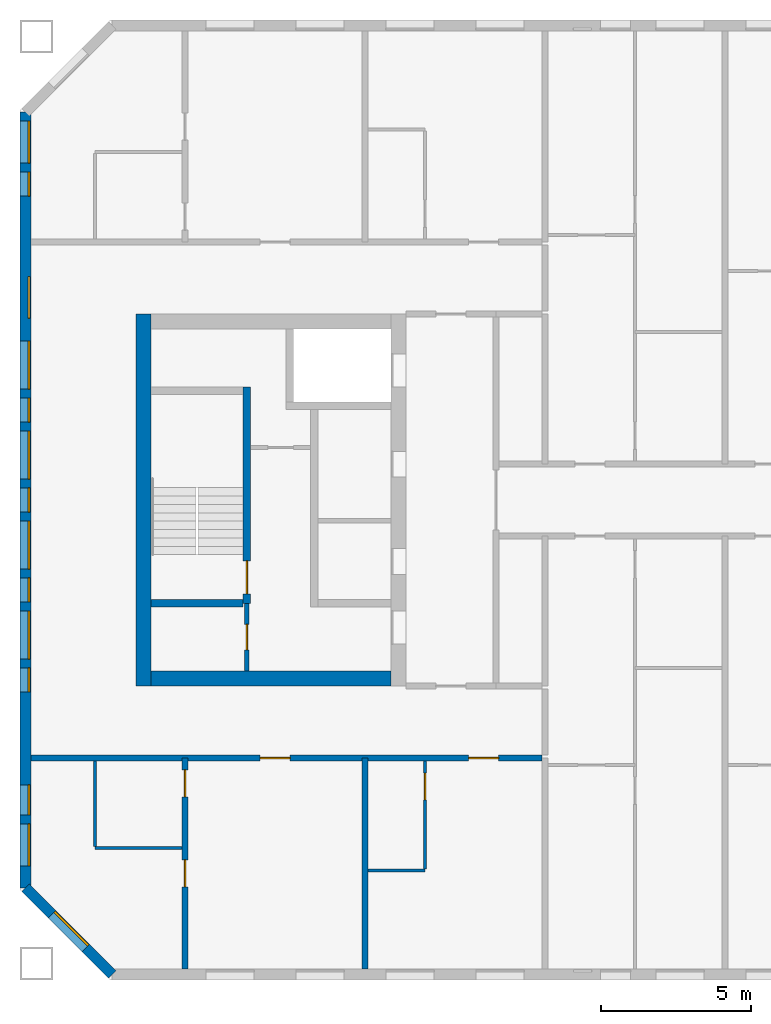
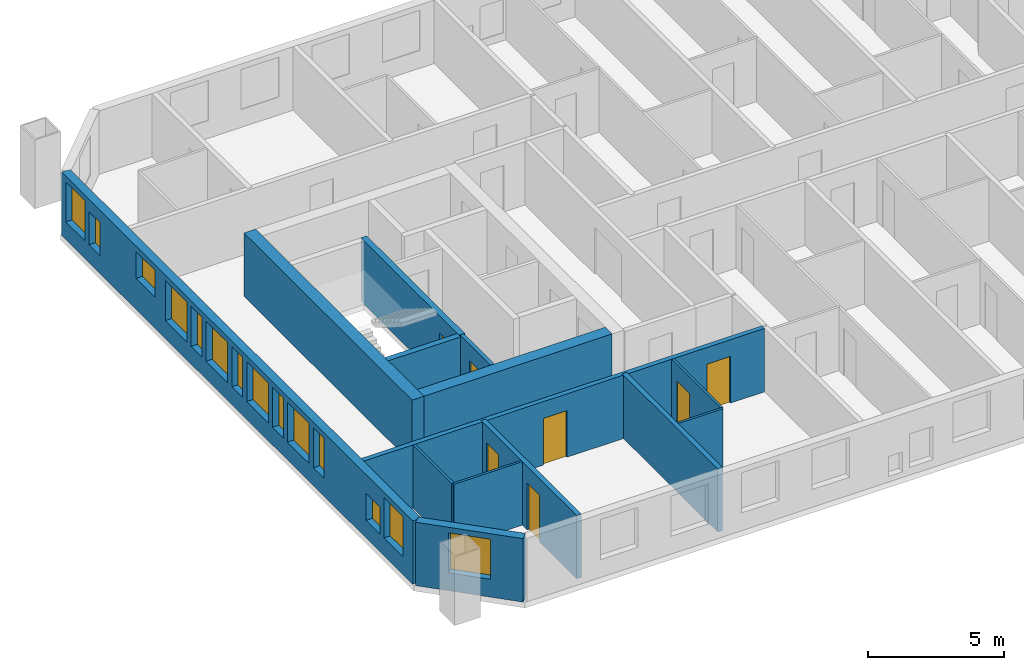
# One storey, part 2 of 15: 14 walls, 14 windows, 7 doors, 21 openings.
"""IFC4 building model written with IfcOpenShell, lengths in metres."""

from ifc_helpers import new_model, si_unit, direction, frame, frame_2d, origin, place, context, subcontext, project, spatial, rectangle, extrude, material, layer, layer_set, type_object, element, fill, save


model = new_model("IFC4")

# Units and contexts
model_context = context("Model", 3, precision=1e-05, world=origin(), true_north=direction((0.0, 1.0)))
body_context = subcontext(model_context, "Body", "Model", "MODEL_VIEW")
ifc_project = project(units=[si_unit("LENGTHUNIT", "METRE"), si_unit("AREAUNIT", "SQUARE_METRE"), si_unit("VOLUMEUNIT", "CUBIC_METRE"), si_unit("PLANEANGLEUNIT", "RADIAN"), si_unit("MASSUNIT", "GRAM", prefix="KILO")], contexts=[model_context])

# Site, building, storey
site_placement = place(None, origin())
site = spatial("IfcSite", under=ifc_project, at=site_placement, CompositionType="ELEMENT")
building_placement = place(site_placement, origin())
building = spatial("IfcBuilding", under=site, at=building_placement, Name="Tuart Gate Housing", CompositionType="ELEMENT")
storey_placement = place(building_placement, frame((0.0, 0.0, 160.89990234375)))
storey = spatial("IfcBuildingStorey", under=building, at=storey_placement, Name="L45", CompositionType="ELEMENT", Elevation=160.89990234375)

# Wall, opening, window
ifc_material_1 = material(Name="Brick", Category="masonry")
ifc_layer_1 = layer(ifc_material_1, 0.360107421875)
ifc_layer_set_1 = layer_set([ifc_layer_1], Name="Brick pier and spandrel wall 360")
wall_type_1 = type_object("IfcWallType", Name="Brick pier and spandrel wall 360", PredefinedType="STANDARD", material=ifc_layer_set_1)
wall_1_placement = place(storey_placement, frame((28.679931640625, 57.07470703125, 0.0), z_axis=(0.0, 0.0, 1.0), x_axis=(0.707106781187, -0.707106781187, 0.0)))
wall_1 = element("IfcWall", 1, at=wall_1_placement, inside=storey, type_object=wall_type_1, Name="External wall A-SW L45", PredefinedType="STANDARD", context=body_context, shape_type="SweptSolid", body=[
    extrude(rectangle(XDim=4.09375, YDim=0.360107421875, at=frame_2d((2.046875, 0.0))), origin(), (0.0, 0.0, 1.0), 2.85009765625),
])
opening_1_placement = place(wall_1_placement, frame((1.2470703125, 0.0, 0.800048828125)))
opening_1 = element("IfcOpeningElement", 2, at=opening_1_placement, cuts=wall_1, Name="Opening W1", PredefinedType="OPENING", context=body_context, shape_type="SweptSolid", body=[
    extrude(rectangle(XDim=1.60009765625, YDim=1.800048828125, at=frame_2d((0.800048828125, 0.89990234375))), frame((0.0, 0.18994140625, 0.0), z_axis=(0.0, -1.0, 0.0), x_axis=(1.0, 0.0, 0.0)), (0.0, 0.0, 1.0), 0.380126953125),
])
ifc_material_2 = material(Name="Aluminium frame with clear glass", Category="aluminium")
window_type_1 = type_object("IfcWindowType", Name="Punched window 1600 x 1800", PartitioningType="SINGLE_PANEL", PredefinedType="WINDOW", material=ifc_material_2)
window_1_placement = place(opening_1_placement, origin())
window_1 = element("IfcWindow", 3, at=window_1_placement, inside=storey, type_object=window_type_1, Name="Window W1", OverallHeight=1.800048828125, OverallWidth=1.60009765625, PartitioningType="SINGLE_PANEL", PredefinedType="WINDOW", context=body_context, shape_type="SweptSolid", body=[
    extrude(rectangle(XDim=1.60009765625, YDim=1.800048828125, at=frame_2d((0.800048828125, 0.89990234375))), frame((0.0, 0.150146484375, 0.0), z_axis=(0.0, -1.0, 0.0), x_axis=(1.0, 0.0, 0.0)), (0.0, 0.0, 1.0), 0.06005859375),
])
fill(opening_1, window_1)

# Wall, openings, windows
wall_2_placement = place(storey_placement, frame((28.679931640625, 82.92529296875, 0.0), z_axis=(0.0, 0.0, 1.0), x_axis=(0.0, -1.0, 0.0)))
wall_2 = element("IfcWall", 4, at=wall_2_placement, inside=storey, type_object=wall_type_1, Name="External wall A-W L45", PredefinedType="STANDARD", context=body_context, shape_type="SweptSolid", body=[
    extrude(rectangle(XDim=25.850830078125, YDim=0.360107421875, at=frame_2d((12.92529296875, 0.0))), origin(), (0.0, 0.0, 1.0), 2.85009765625),
])
opening_2_placement = place(wall_2_placement, frame((0.300048828125, 0.0, 0.800048828125)))
opening_2 = element("IfcOpeningElement", 5, at=opening_2_placement, cuts=wall_2, Name="Opening W1A", PredefinedType="OPENING", context=body_context, shape_type="SweptSolid", body=[
    extrude(rectangle(XDim=1.39990234375, YDim=1.800048828125, at=frame_2d((0.699951171875, 0.89990234375))), frame((0.0, 0.18994140625, 0.0), z_axis=(0.0, -1.0, 0.0), x_axis=(1.0, 0.0, 0.0)), (0.0, 0.0, 1.0), 0.380126953125),
])
opening_3_placement = place(wall_2_placement, frame((5.475341796875, 0.0, 1.39990234375)))
opening_3 = element("IfcOpeningElement", 6, at=opening_3_placement, cuts=wall_2, Name="Opening W1M", PredefinedType="OPENING", context=body_context, shape_type="SweptSolid", body=[
    extrude(rectangle(XDim=1.39990234375, YDim=1.199951171875, at=frame_2d((0.699951171875, 0.60009765625))), frame((0.0, 0.18994140625, 0.0), z_axis=(0.0, -1.0, 0.0), x_axis=(1.0, 0.0, 0.0)), (0.0, 0.0, 1.0), 0.380126953125),
])
opening_4_placement = place(wall_2_placement, frame((7.62548828125, 0.0, 0.800048828125)))
opening_4 = element("IfcOpeningElement", 7, at=opening_4_placement, cuts=wall_2, Name="Opening W1", PredefinedType="OPENING", context=body_context, shape_type="SweptSolid", body=[
    extrude(rectangle(XDim=1.60009765625, YDim=1.800048828125, at=frame_2d((0.800048828125, 0.89990234375))), frame((0.0, 0.18994140625, 0.0), z_axis=(0.0, -1.0, 0.0), x_axis=(1.0, 0.0, 0.0)), (0.0, 0.0, 1.0), 0.380126953125),
])
opening_5_placement = place(wall_2_placement, frame((10.62548828125, 0.0, 0.800048828125)))
opening_5 = element("IfcOpeningElement", 8, at=opening_5_placement, cuts=wall_2, Name="Opening W1", PredefinedType="OPENING", context=body_context, shape_type="SweptSolid", body=[
    extrude(rectangle(XDim=1.60009765625, YDim=1.800048828125, at=frame_2d((0.800048828125, 0.89990234375))), frame((0.0, 0.18994140625, 0.0), z_axis=(0.0, -1.0, 0.0), x_axis=(1.0, 0.0, 0.0)), (0.0, 0.0, 1.0), 0.380126953125),
])
opening_6_placement = place(wall_2_placement, frame((13.62548828125, 0.0, 0.800048828125)))
opening_6 = element("IfcOpeningElement", 9, at=opening_6_placement, cuts=wall_2, Name="Opening W1", PredefinedType="OPENING", context=body_context, shape_type="SweptSolid", body=[
    extrude(rectangle(XDim=1.60009765625, YDim=1.800048828125, at=frame_2d((0.800048828125, 0.89990234375))), frame((0.0, 0.18994140625, 0.0), z_axis=(0.0, -1.0, 0.0), x_axis=(1.0, 0.0, 0.0)), (0.0, 0.0, 1.0), 0.380126953125),
])
opening_7_placement = place(wall_2_placement, frame((16.62548828125, 0.0, 0.800048828125)))
opening_7 = element("IfcOpeningElement", 10, at=opening_7_placement, cuts=wall_2, Name="Opening W1", PredefinedType="OPENING", context=body_context, shape_type="SweptSolid", body=[
    extrude(rectangle(XDim=1.60009765625, YDim=1.800048828125, at=frame_2d((0.800048828125, 0.89990234375))), frame((0.0, 0.18994140625, 0.0), z_axis=(0.0, -1.0, 0.0), x_axis=(1.0, 0.0, 0.0)), (0.0, 0.0, 1.0), 0.380126953125),
])
opening_8_placement = place(wall_2_placement, frame((9.525390625, 0.0, 0.800048828125)))
opening_8 = element("IfcOpeningElement", 11, at=opening_8_placement, cuts=wall_2, Name="Opening W1D", PredefinedType="OPENING", context=body_context, shape_type="SweptSolid", body=[
    extrude(rectangle(XDim=0.800048828125, YDim=1.800048828125, at=frame_2d((0.39990234375, 0.89990234375))), frame((0.0, 0.18994140625, 0.0), z_axis=(0.0, -1.0, 0.0), x_axis=(1.0, 0.0, 0.0)), (0.0, 0.0, 1.0), 0.380126953125),
])
opening_9_placement = place(wall_2_placement, frame((22.42529296875, 0.0, 0.800048828125)))
opening_9 = element("IfcOpeningElement", 12, at=opening_9_placement, cuts=wall_2, Name="Opening W1O", PredefinedType="OPENING", context=body_context, shape_type="SweptSolid", body=[
    extrude(rectangle(XDim=1.0, YDim=1.199951171875, at=frame_2d((0.5, 0.60009765625))), frame((0.0, 0.18994140625, 0.0), z_axis=(0.0, -1.0, 0.0), x_axis=(1.0, 0.0, 0.0)), (0.0, 0.0, 1.0), 0.380126953125),
])
opening_10_placement = place(wall_2_placement, frame((2.0, 0.0, 0.800048828125)))
opening_10 = element("IfcOpeningElement", 13, at=opening_10_placement, cuts=wall_2, Name="Opening W1J", PredefinedType="OPENING", context=body_context, shape_type="SweptSolid", body=[
    extrude(rectangle(XDim=0.800048828125, YDim=1.5, at=frame_2d((0.39990234375, 0.75))), frame((0.0, 0.18994140625, 0.0), z_axis=(0.0, -1.0, 0.0), x_axis=(1.0, 0.0, 0.0)), (0.0, 0.0, 1.0), 0.380126953125),
])
opening_11_placement = place(wall_2_placement, frame((12.525390625, 0.0, 0.800048828125)))
opening_11 = element("IfcOpeningElement", 14, at=opening_11_placement, cuts=wall_2, Name="Opening W1D", PredefinedType="OPENING", context=body_context, shape_type="SweptSolid", body=[
    extrude(rectangle(XDim=0.800048828125, YDim=1.800048828125, at=frame_2d((0.39990234375, 0.89990234375))), frame((0.0, 0.18994140625, 0.0), z_axis=(0.0, -1.0, 0.0), x_axis=(1.0, 0.0, 0.0)), (0.0, 0.0, 1.0), 0.380126953125),
])
opening_12_placement = place(wall_2_placement, frame((15.525390625, 0.0, 0.800048828125)))
opening_12 = element("IfcOpeningElement", 15, at=opening_12_placement, cuts=wall_2, Name="Opening W1D", PredefinedType="OPENING", context=body_context, shape_type="SweptSolid", body=[
    extrude(rectangle(XDim=0.800048828125, YDim=1.800048828125, at=frame_2d((0.39990234375, 0.89990234375))), frame((0.0, 0.18994140625, 0.0), z_axis=(0.0, -1.0, 0.0), x_axis=(1.0, 0.0, 0.0)), (0.0, 0.0, 1.0), 0.380126953125),
])
opening_13_placement = place(wall_2_placement, frame((18.525390625, 0.0, 0.800048828125)))
opening_13 = element("IfcOpeningElement", 16, at=opening_13_placement, cuts=wall_2, Name="Opening W1D", PredefinedType="OPENING", context=body_context, shape_type="SweptSolid", body=[
    extrude(rectangle(XDim=0.800048828125, YDim=1.800048828125, at=frame_2d((0.39990234375, 0.89990234375))), frame((0.0, 0.18994140625, 0.0), z_axis=(0.0, -1.0, 0.0), x_axis=(1.0, 0.0, 0.0)), (0.0, 0.0, 1.0), 0.380126953125),
])
opening_14_placement = place(wall_2_placement, frame((23.725341796875, 0.0, 0.800048828125)))
opening_14 = element("IfcOpeningElement", 17, at=opening_14_placement, cuts=wall_2, Name="Opening W1A", PredefinedType="OPENING", context=body_context, shape_type="SweptSolid", body=[
    extrude(rectangle(XDim=1.39990234375, YDim=1.800048828125, at=frame_2d((0.699951171875, 0.89990234375))), frame((0.0, 0.18994140625, 0.0), z_axis=(0.0, -1.0, 0.0), x_axis=(1.0, 0.0, 0.0)), (0.0, 0.0, 1.0), 0.380126953125),
])
ifc_material_3 = material(Name="Aluminium frame with clear glass", Category="aluminium")
window_type_2 = type_object("IfcWindowType", Name="Punched window 1000 x 1200", PartitioningType="SINGLE_PANEL", PredefinedType="WINDOW", material=ifc_material_3)
window_2_placement = place(opening_9_placement, origin())
window_2 = element("IfcWindow", 18, at=window_2_placement, inside=storey, type_object=window_type_2, Name="Window W1O", OverallHeight=1.199951171875, OverallWidth=1.0, PartitioningType="SINGLE_PANEL", PredefinedType="WINDOW", context=body_context, shape_type="SweptSolid", body=[
    extrude(rectangle(XDim=1.0, YDim=1.199951171875, at=frame_2d((0.5, 0.60009765625))), frame((0.0, 0.150146484375, 0.0), z_axis=(0.0, -1.0, 0.0), x_axis=(1.0, 0.0, 0.0)), (0.0, 0.0, 1.0), 0.06005859375),
])
fill(opening_9, window_2)
ifc_material_4 = material(Name="Aluminium frame with clear glass", Category="aluminium")
window_type_3 = type_object("IfcWindowType", Name="Punched window 1400 x 1200", PartitioningType="SINGLE_PANEL", PredefinedType="WINDOW", material=ifc_material_4)
window_3_placement = place(opening_3_placement, origin())
window_3 = element("IfcWindow", 19, at=window_3_placement, inside=storey, type_object=window_type_3, Name="Window W1M", OverallHeight=1.199951171875, OverallWidth=1.39990234375, PartitioningType="SINGLE_PANEL", PredefinedType="WINDOW", context=body_context, shape_type="SweptSolid", body=[
    extrude(rectangle(XDim=1.39990234375, YDim=1.199951171875, at=frame_2d((0.699951171875, 0.60009765625))), frame((0.0, 0.150146484375, 0.0), z_axis=(0.0, -1.0, 0.0), x_axis=(1.0, 0.0, 0.0)), (0.0, 0.0, 1.0), 0.06005859375),
])
fill(opening_3, window_3)
ifc_material_5 = material(Name="Aluminium frame with clear glass", Category="aluminium")
window_type_4 = type_object("IfcWindowType", Name="Punched window 1400 x 1800", PartitioningType="SINGLE_PANEL", PredefinedType="WINDOW", material=ifc_material_5)
window_4_placement = place(opening_2_placement, origin())
window_4 = element("IfcWindow", 20, at=window_4_placement, inside=storey, type_object=window_type_4, Name="Window W1A", OverallHeight=1.800048828125, OverallWidth=1.39990234375, PartitioningType="SINGLE_PANEL", PredefinedType="WINDOW", context=body_context, shape_type="SweptSolid", body=[
    extrude(rectangle(XDim=1.39990234375, YDim=1.800048828125, at=frame_2d((0.699951171875, 0.89990234375))), frame((0.0, 0.150146484375, 0.0), z_axis=(0.0, -1.0, 0.0), x_axis=(1.0, 0.0, 0.0)), (0.0, 0.0, 1.0), 0.06005859375),
])
fill(opening_2, window_4)
window_5_placement = place(opening_14_placement, origin())
window_5 = element("IfcWindow", 21, at=window_5_placement, inside=storey, type_object=window_type_4, Name="Window W1A", OverallHeight=1.800048828125, OverallWidth=1.39990234375, PartitioningType="SINGLE_PANEL", PredefinedType="WINDOW", context=body_context, shape_type="SweptSolid", body=[
    extrude(rectangle(XDim=1.39990234375, YDim=1.800048828125, at=frame_2d((0.699951171875, 0.89990234375))), frame((0.0, 0.150146484375, 0.0), z_axis=(0.0, -1.0, 0.0), x_axis=(1.0, 0.0, 0.0)), (0.0, 0.0, 1.0), 0.06005859375),
])
fill(opening_14, window_5)
window_6_placement = place(opening_4_placement, origin())
window_6 = element("IfcWindow", 22, at=window_6_placement, inside=storey, type_object=window_type_1, Name="Window W1", OverallHeight=1.800048828125, OverallWidth=1.60009765625, PartitioningType="SINGLE_PANEL", PredefinedType="WINDOW", context=body_context, shape_type="SweptSolid", body=[
    extrude(rectangle(XDim=1.60009765625, YDim=1.800048828125, at=frame_2d((0.800048828125, 0.89990234375))), frame((0.0, 0.150146484375, 0.0), z_axis=(0.0, -1.0, 0.0), x_axis=(1.0, 0.0, 0.0)), (0.0, 0.0, 1.0), 0.06005859375),
])
fill(opening_4, window_6)
window_7_placement = place(opening_5_placement, origin())
window_7 = element("IfcWindow", 23, at=window_7_placement, inside=storey, type_object=window_type_1, Name="Window W1", OverallHeight=1.800048828125, OverallWidth=1.60009765625, PartitioningType="SINGLE_PANEL", PredefinedType="WINDOW", context=body_context, shape_type="SweptSolid", body=[
    extrude(rectangle(XDim=1.60009765625, YDim=1.800048828125, at=frame_2d((0.800048828125, 0.89990234375))), frame((0.0, 0.150146484375, 0.0), z_axis=(0.0, -1.0, 0.0), x_axis=(1.0, 0.0, 0.0)), (0.0, 0.0, 1.0), 0.06005859375),
])
fill(opening_5, window_7)
window_8_placement = place(opening_6_placement, origin())
window_8 = element("IfcWindow", 24, at=window_8_placement, inside=storey, type_object=window_type_1, Name="Window W1", OverallHeight=1.800048828125, OverallWidth=1.60009765625, PartitioningType="SINGLE_PANEL", PredefinedType="WINDOW", context=body_context, shape_type="SweptSolid", body=[
    extrude(rectangle(XDim=1.60009765625, YDim=1.800048828125, at=frame_2d((0.800048828125, 0.89990234375))), frame((0.0, 0.150146484375, 0.0), z_axis=(0.0, -1.0, 0.0), x_axis=(1.0, 0.0, 0.0)), (0.0, 0.0, 1.0), 0.06005859375),
])
fill(opening_6, window_8)
window_9_placement = place(opening_7_placement, origin())
window_9 = element("IfcWindow", 25, at=window_9_placement, inside=storey, type_object=window_type_1, Name="Window W1", OverallHeight=1.800048828125, OverallWidth=1.60009765625, PartitioningType="SINGLE_PANEL", PredefinedType="WINDOW", context=body_context, shape_type="SweptSolid", body=[
    extrude(rectangle(XDim=1.60009765625, YDim=1.800048828125, at=frame_2d((0.800048828125, 0.89990234375))), frame((0.0, 0.150146484375, 0.0), z_axis=(0.0, -1.0, 0.0), x_axis=(1.0, 0.0, 0.0)), (0.0, 0.0, 1.0), 0.06005859375),
])
fill(opening_7, window_9)
ifc_material_6 = material(Name="Aluminium frame with clear glass", Category="aluminium")
window_type_5 = type_object("IfcWindowType", Name="Punched window 800 x 1500", PartitioningType="SINGLE_PANEL", PredefinedType="WINDOW", material=ifc_material_6)
window_10_placement = place(opening_10_placement, origin())
window_10 = element("IfcWindow", 26, at=window_10_placement, inside=storey, type_object=window_type_5, Name="Window W1J", OverallHeight=1.5, OverallWidth=0.800048828125, PartitioningType="SINGLE_PANEL", PredefinedType="WINDOW", context=body_context, shape_type="SweptSolid", body=[
    extrude(rectangle(XDim=0.800048828125, YDim=1.5, at=frame_2d((0.39990234375, 0.75))), frame((0.0, 0.150146484375, 0.0), z_axis=(0.0, -1.0, 0.0), x_axis=(1.0, 0.0, 0.0)), (0.0, 0.0, 1.0), 0.06005859375),
])
fill(opening_10, window_10)
ifc_material_7 = material(Name="Aluminium frame with clear glass", Category="aluminium")
window_type_6 = type_object("IfcWindowType", Name="Punched window 800 x 1800", PartitioningType="SINGLE_PANEL", PredefinedType="WINDOW", material=ifc_material_7)
window_11_placement = place(opening_8_placement, origin())
window_11 = element("IfcWindow", 27, at=window_11_placement, inside=storey, type_object=window_type_6, Name="Window W1D", OverallHeight=1.800048828125, OverallWidth=0.800048828125, PartitioningType="SINGLE_PANEL", PredefinedType="WINDOW", context=body_context, shape_type="SweptSolid", body=[
    extrude(rectangle(XDim=0.800048828125, YDim=1.800048828125, at=frame_2d((0.39990234375, 0.89990234375))), frame((0.0, 0.150146484375, 0.0), z_axis=(0.0, -1.0, 0.0), x_axis=(1.0, 0.0, 0.0)), (0.0, 0.0, 1.0), 0.06005859375),
])
fill(opening_8, window_11)
window_12_placement = place(opening_11_placement, origin())
window_12 = element("IfcWindow", 28, at=window_12_placement, inside=storey, type_object=window_type_6, Name="Window W1D", OverallHeight=1.800048828125, OverallWidth=0.800048828125, PartitioningType="SINGLE_PANEL", PredefinedType="WINDOW", context=body_context, shape_type="SweptSolid", body=[
    extrude(rectangle(XDim=0.800048828125, YDim=1.800048828125, at=frame_2d((0.39990234375, 0.89990234375))), frame((0.0, 0.150146484375, 0.0), z_axis=(0.0, -1.0, 0.0), x_axis=(1.0, 0.0, 0.0)), (0.0, 0.0, 1.0), 0.06005859375),
])
fill(opening_11, window_12)
window_13_placement = place(opening_12_placement, origin())
window_13 = element("IfcWindow", 29, at=window_13_placement, inside=storey, type_object=window_type_6, Name="Window W1D", OverallHeight=1.800048828125, OverallWidth=0.800048828125, PartitioningType="SINGLE_PANEL", PredefinedType="WINDOW", context=body_context, shape_type="SweptSolid", body=[
    extrude(rectangle(XDim=0.800048828125, YDim=1.800048828125, at=frame_2d((0.39990234375, 0.89990234375))), frame((0.0, 0.150146484375, 0.0), z_axis=(0.0, -1.0, 0.0), x_axis=(1.0, 0.0, 0.0)), (0.0, 0.0, 1.0), 0.06005859375),
])
fill(opening_12, window_13)
window_14_placement = place(opening_13_placement, origin())
window_14 = element("IfcWindow", 30, at=window_14_placement, inside=storey, type_object=window_type_6, Name="Window W1D", OverallHeight=1.800048828125, OverallWidth=0.800048828125, PartitioningType="SINGLE_PANEL", PredefinedType="WINDOW", context=body_context, shape_type="SweptSolid", body=[
    extrude(rectangle(XDim=0.800048828125, YDim=1.800048828125, at=frame_2d((0.39990234375, 0.89990234375))), frame((0.0, 0.150146484375, 0.0), z_axis=(0.0, -1.0, 0.0), x_axis=(1.0, 0.0, 0.0)), (0.0, 0.0, 1.0), 0.06005859375),
])
fill(opening_13, window_14)

# Wall, opening, door
ifc_material_8 = material(Name="Plasterboard partition")
ifc_layer_2 = layer(ifc_material_8, 0.14990234375)
ifc_layer_set_2 = layer_set([ifc_layer_2], Name="Core partition 150")
wall_type_2 = type_object("IfcWallType", Name="Core partition 150", PredefinedType="PARTITIONING", material=ifc_layer_set_2)
wall_3_placement = place(storey_placement, frame((36.06005859375, 66.550048828125, 0.0), z_axis=(0.0, 0.0, 1.0), x_axis=(0.0, -1.0, 0.0)))
wall_3 = element("IfcWall", 31, at=wall_3_placement, inside=storey, type_object=wall_type_2, Name="Core partition AK.10", PredefinedType="PARTITIONING", context=body_context, shape_type="SweptSolid", body=[
    extrude(rectangle(XDim=2.25, YDim=0.14990234375, at=frame_2d((1.125, 0.0))), origin(), (0.0, 0.0, 1.0), 2.85009765625),
])
opening_15_placement = place(wall_3_placement, frame((0.699951171875, 0.0, 0.0)))
opening_15 = element("IfcOpeningElement", 32, at=opening_15_placement, cuts=wall_3, Name="Opening D1659", PredefinedType="OPENING", context=body_context, shape_type="SweptSolid", body=[
    extrude(rectangle(XDim=0.85009765625, YDim=2.10009765625, at=frame_2d((0.425048828125, 1.050048828125))), frame((0.0, 0.0849609375, 0.0), z_axis=(0.0, -1.0, 0.0), x_axis=(1.0, 0.0, 0.0)), (0.0, 0.0, 1.0), 0.169921875),
])
ifc_material_9 = material(Name="Steel fire door", Category="steel")
door_type_1 = type_object("IfcDoorType", Name="Service door 850 x 2100 RH", OperationType="SINGLE_SWING_RIGHT", PredefinedType="DOOR", material=ifc_material_9)
door_1_placement = place(opening_15_placement, frame((0.85009765625, 0.0, 0.0), z_axis=(0.0, 0.0, 1.0), x_axis=(-1.0, 0.0, 0.0)))
door_1 = element("IfcDoor", 33, at=door_1_placement, inside=storey, type_object=door_type_1, Name="Service room door AK.ST", OperationType="SINGLE_SWING_RIGHT", OverallHeight=2.10009765625, OverallWidth=0.85009765625, PredefinedType="DOOR", context=body_context, shape_type="SweptSolid", body=[
    extrude(rectangle(XDim=0.85009765625, YDim=2.10009765625, at=frame_2d((0.425048828125, 1.050048828125))), frame((0.0, 0.025146484375, 0.0), z_axis=(0.0, -1.0, 0.0), x_axis=(1.0, 0.0, 0.0)), (0.0, 0.0, 1.0), 0.050048828125),
])
fill(opening_15, door_1)

# Wall
ifc_material_10 = material(Name="Concrete C40", Category="concrete")
ifc_layer_3 = layer(ifc_material_10, 0.25)
ifc_layer_set_3 = layer_set([ifc_layer_3], Name="Core wall 250 C40")
wall_type_3 = type_object("IfcWallType", Name="Core wall 250 C40", PredefinedType="SHEAR", material=ifc_layer_set_3)
wall_4_placement = place(storey_placement, frame((35.93505859375, 66.550048828125, 0.0), z_axis=(0.0, 0.0, 1.0), x_axis=(-1.0, 0.0, 0.0)))
element("IfcWall", 34, at=wall_4_placement, inside=storey, type_object=wall_type_3, Name="Core wall AK.6", PredefinedType="SHEAR", context=body_context, shape_type="SweptSolid", body=[
    extrude(rectangle(XDim=3.074951171875, YDim=0.25, at=frame_2d((1.53759765625, 0.0))), origin(), (0.0, 0.0, 1.0), 2.85009765625),
])

# Wall, opening, door
wall_5_placement = place(storey_placement, frame((36.06005859375, 73.77490234375, 0.0), z_axis=(0.0, 0.0, 1.0), x_axis=(0.0, -1.0, 0.0)))
wall_5 = element("IfcWall", 35, at=wall_5_placement, inside=storey, type_object=wall_type_3, Name="Core wall AK.9", PredefinedType="SHEAR", context=body_context, shape_type="SweptSolid", body=[
    extrude(rectangle(XDim=7.224853515625, YDim=0.25, at=frame_2d((3.6123046875, 0.0))), origin(), (0.0, 0.0, 1.0), 2.85009765625),
])
opening_16_placement = place(wall_5_placement, frame((5.800048828125, 0.0, 0.0)))
opening_16 = element("IfcOpeningElement", 36, at=opening_16_placement, cuts=wall_5, Name="Opening D1648", PredefinedType="OPENING", context=body_context, shape_type="SweptSolid", body=[
    extrude(rectangle(XDim=1.10009765625, YDim=2.10009765625, at=frame_2d((0.550048828125, 1.050048828125))), frame((0.0, 0.135009765625, 0.0), z_axis=(0.0, -1.0, 0.0), x_axis=(1.0, 0.0, 0.0)), (0.0, 0.0, 1.0), 0.27001953125),
])
ifc_material_11 = material(Name="Steel fire door", Category="steel")
door_type_2 = type_object("IfcDoorType", Name="Stair door 1100 x 2100", OperationType="SINGLE_SWING_LEFT", PredefinedType="DOOR", material=ifc_material_11)
door_2_placement = place(opening_16_placement, frame((1.10009765625, 0.0, 0.0), z_axis=(0.0, 0.0, 1.0), x_axis=(-1.0, 0.0, 0.0)))
door_2 = element("IfcDoor", 37, at=door_2_placement, inside=storey, type_object=door_type_2, Name="Stair door AK.SD", OperationType="SINGLE_SWING_LEFT", OverallHeight=2.10009765625, OverallWidth=1.10009765625, PredefinedType="DOOR", context=body_context, shape_type="SweptSolid", body=[
    extrude(rectangle(XDim=1.10009765625, YDim=2.10009765625, at=frame_2d((0.550048828125, 1.050048828125))), frame((0.0, 0.025146484375, 0.0), z_axis=(0.0, -1.0, 0.0), x_axis=(1.0, 0.0, 0.0)), (0.0, 0.0, 1.0), 0.050048828125),
])
fill(opening_16, door_2)

# Walls
ifc_material_12 = material(Name="Concrete C40", Category="concrete")
ifc_layer_4 = layer(ifc_material_12, 0.5)
ifc_layer_set_4 = layer_set([ifc_layer_4], Name="Core wall 500 C40")
wall_type_4 = type_object("IfcWallType", Name="Core wall 500 C40", PredefinedType="SHEAR", material=ifc_layer_set_4)
wall_6_placement = place(storey_placement, frame((32.610107421875, 76.199951171875, 0.0), z_axis=(0.0, 0.0, 1.0), x_axis=(0.0, -1.0, 0.0)))
element("IfcWall", 38, at=wall_6_placement, inside=storey, type_object=wall_type_4, Name="Core wall AK back", PredefinedType="SHEAR", context=body_context, shape_type="SweptSolid", body=[
    extrude(rectangle(XDim=12.39990234375, YDim=0.5, at=frame_2d((6.199951171875, 0.0))), origin(), (0.0, 0.0, 1.0), 2.85009765625),
])
wall_7_placement = place(storey_placement, frame((40.860107421875, 64.050048828125, 0.0), z_axis=(0.0, 0.0, 1.0), x_axis=(-1.0, 0.0, 0.0)))
element("IfcWall", 39, at=wall_7_placement, inside=storey, type_object=wall_type_4, Name="Core wall AK north", PredefinedType="SHEAR", context=body_context, shape_type="SweptSolid", body=[
    extrude(rectangle(XDim=8.0, YDim=0.5, at=frame_2d((4.0, 0.0))), origin(), (0.0, 0.0, 1.0), 2.85009765625),
])

# Wall, openings, doors
ifc_material_13 = material(Name="Concrete masonry 15 MPa", Category="masonry")
ifc_layer_5 = layer(ifc_material_13, 0.199951171875)
ifc_layer_set_5 = layer_set([ifc_layer_5], Name="Corridor wall masonry 200")
wall_type_5 = type_object("IfcWallType", Name="Corridor wall masonry 200", PredefinedType="PARTITIONING", material=ifc_layer_set_5)
wall_8_placement = place(storey_placement, frame((28.860107421875, 61.39990234375, 0.0), z_axis=(0.0, 0.0, 1.0), x_axis=(1.0, 0.0, 0.0)))
wall_8 = element("IfcWall", 40, at=wall_8_placement, inside=storey, type_object=wall_type_5, Name="Corridor wall masonry 200", PredefinedType="PARTITIONING", context=body_context, shape_type="SweptSolid", body=[
    extrude(rectangle(XDim=17.039794921875, YDim=0.199951171875, at=frame_2d((8.52001953125, 0.0))), origin(), (0.0, 0.0, 1.0), 2.85009765625),
])
opening_17_placement = place(wall_8_placement, frame((14.590087890625, 0.0, 0.0)))
opening_17 = element("IfcOpeningElement", 41, at=opening_17_placement, cuts=wall_8, Name="Opening D1670", PredefinedType="OPENING", context=body_context, shape_type="SweptSolid", body=[
    extrude(rectangle(XDim=1.0, YDim=2.10009765625, at=frame_2d((0.5, 1.050048828125))), frame((0.0, 0.10986328125, 0.0), z_axis=(0.0, -1.0, 0.0), x_axis=(1.0, 0.0, 0.0)), (0.0, 0.0, 1.0), 0.219970703125),
])
opening_18_placement = place(wall_8_placement, frame((7.639892578125, 0.0, 0.0)))
opening_18 = element("IfcOpeningElement", 42, at=opening_18_placement, cuts=wall_8, Name="Opening D1671", PredefinedType="OPENING", context=body_context, shape_type="SweptSolid", body=[
    extrude(rectangle(XDim=1.0, YDim=2.10009765625, at=frame_2d((0.5, 1.050048828125))), frame((0.0, 0.10986328125, 0.0), z_axis=(0.0, -1.0, 0.0), x_axis=(1.0, 0.0, 0.0)), (0.0, 0.0, 1.0), 0.219970703125),
])
ifc_material_14 = material(Name="Timber door leaf in steel frame", Category="steel")
door_type_3 = type_object("IfcDoorType", Name="Flat entrance door 1000 RH", OperationType="SINGLE_SWING_RIGHT", PredefinedType="DOOR", material=ifc_material_14)
door_3_placement = place(opening_17_placement, frame((1.0, 0.0, 0.0), z_axis=(0.0, 0.0, 1.0), x_axis=(-1.0, 0.0, 0.0)))
door_3 = element("IfcDoor", 43, at=door_3_placement, inside=storey, type_object=door_type_3, Name="Flat entrance door", OperationType="SINGLE_SWING_RIGHT", OverallHeight=2.10009765625, OverallWidth=1.0, PredefinedType="DOOR", context=body_context, shape_type="SweptSolid", body=[
    extrude(rectangle(XDim=1.0, YDim=2.10009765625, at=frame_2d((0.5, 1.050048828125))), frame((0.0, 0.025146484375, 0.0), z_axis=(0.0, -1.0, 0.0), x_axis=(1.0, 0.0, 0.0)), (0.0, 0.0, 1.0), 0.050048828125),
])
fill(opening_17, door_3)
door_4_placement = place(opening_18_placement, frame((1.0, 0.0, 0.0), z_axis=(0.0, 0.0, 1.0), x_axis=(-1.0, 0.0, 0.0)))
door_4 = element("IfcDoor", 44, at=door_4_placement, inside=storey, type_object=door_type_3, Name="Flat entrance door", OperationType="SINGLE_SWING_RIGHT", OverallHeight=2.10009765625, OverallWidth=1.0, PredefinedType="DOOR", context=body_context, shape_type="SweptSolid", body=[
    extrude(rectangle(XDim=1.0, YDim=2.10009765625, at=frame_2d((0.5, 1.050048828125))), frame((0.0, 0.025146484375, 0.0), z_axis=(0.0, -1.0, 0.0), x_axis=(1.0, 0.0, 0.0)), (0.0, 0.0, 1.0), 0.050048828125),
])
fill(opening_18, door_4)

# Walls
ifc_material_15 = material(Name="Gypsum board on steel studs", Category="steel")
ifc_layer_6 = layer(ifc_material_15, 0.10009765625)
ifc_layer_set_6 = layer_set([ifc_layer_6], Name="Partition 100")
wall_type_6 = type_object("IfcWallType", Name="Partition 100", PredefinedType="PARTITIONING", material=ifc_layer_set_6)
wall_9_placement = place(storey_placement, frame((40.10009765625, 57.64990234375, 0.0), z_axis=(0.0, 0.0, 1.0), x_axis=(1.0, 0.0, 0.0)))
element("IfcWall", 45, at=wall_9_placement, inside=storey, type_object=wall_type_6, Name="Partition 100", PredefinedType="PARTITIONING", context=body_context, shape_type="SweptSolid", body=[
    extrude(rectangle(XDim=1.89990234375, YDim=0.10009765625, at=frame_2d((0.949951171875, 0.0))), origin(), (0.0, 0.0, 1.0), 2.85009765625),
])
wall_10_placement = place(storey_placement, frame((31.0, 58.39990234375, 0.0), z_axis=(0.0, 0.0, 1.0), x_axis=(1.0, 0.0, 0.0)))
element("IfcWall", 46, at=wall_10_placement, inside=storey, type_object=wall_type_6, Name="Partition 100", PredefinedType="PARTITIONING", context=body_context, shape_type="SweptSolid", body=[
    extrude(rectangle(XDim=2.89990234375, YDim=0.10009765625, at=frame_2d((1.449951171875, 0.0))), origin(), (0.0, 0.0, 1.0), 2.85009765625),
])
wall_11_placement = place(storey_placement, frame((31.0, 58.449951171875, 0.0), z_axis=(0.0, 0.0, 1.0), x_axis=(0.0, 1.0, 0.0)))
element("IfcWall", 47, at=wall_11_placement, inside=storey, type_object=wall_type_6, Name="Partition 100", PredefinedType="PARTITIONING", context=body_context, shape_type="SweptSolid", body=[
    extrude(rectangle(XDim=2.85009765625, YDim=0.10009765625, at=frame_2d((1.425048828125, 0.0))), origin(), (0.0, 0.0, 1.0), 2.85009765625),
])

# Wall, opening, door
wall_12_placement = place(storey_placement, frame((42.0, 57.699951171875, 0.0), z_axis=(0.0, 0.0, 1.0), x_axis=(0.0, 1.0, 0.0)))
wall_12 = element("IfcWall", 48, at=wall_12_placement, inside=storey, type_object=wall_type_6, Name="Partition 100", PredefinedType="PARTITIONING", context=body_context, shape_type="SweptSolid", body=[
    extrude(rectangle(XDim=3.60009765625, YDim=0.10009765625, at=frame_2d((1.800048828125, 0.0))), origin(), (0.0, 0.0, 1.0), 2.85009765625),
])
opening_19_placement = place(wall_12_placement, frame((2.300048828125, 0.0, 0.0)))
opening_19 = element("IfcOpeningElement", 49, at=opening_19_placement, cuts=wall_12, Name="Opening D1676", PredefinedType="OPENING", context=body_context, shape_type="SweptSolid", body=[
    extrude(rectangle(XDim=0.89990234375, YDim=2.10009765625, at=frame_2d((0.449951171875, 1.050048828125))), frame((0.0, 0.06005859375, 0.0), z_axis=(0.0, -1.0, 0.0), x_axis=(1.0, 0.0, 0.0)), (0.0, 0.0, 1.0), 0.1201171875),
])
ifc_material_16 = material(Name="Timber door leaf in steel frame", Category="steel")
door_type_4 = type_object("IfcDoorType", Name="Bathroom door 900 RH", OperationType="SINGLE_SWING_RIGHT", PredefinedType="DOOR", material=ifc_material_16)
door_5_placement = place(opening_19_placement, origin())
door_5 = element("IfcDoor", 50, at=door_5_placement, inside=storey, type_object=door_type_4, Name="Bathroom door", OperationType="SINGLE_SWING_RIGHT", OverallHeight=2.10009765625, OverallWidth=0.89990234375, PredefinedType="DOOR", context=body_context, shape_type="SweptSolid", body=[
    extrude(rectangle(XDim=0.89990234375, YDim=2.10009765625, at=frame_2d((0.449951171875, 1.050048828125))), frame((0.0, 0.02490234375, 0.0), z_axis=(0.0, -1.0, 0.0), x_axis=(1.0, 0.0, 0.0)), (0.0, 0.0, 1.0), 0.050048828125),
])
fill(opening_19, door_5)

# Wall, openings, doors
ifc_material_17 = material(Name="Concrete C40", Category="concrete")
ifc_layer_7 = layer(ifc_material_17, 0.199951171875)
ifc_layer_set_7 = layer_set([ifc_layer_7], Name="Party wall concrete C40 200")
wall_type_7 = type_object("IfcWallType", Name="Party wall concrete C40 200", PredefinedType="SOLIDWALL", material=ifc_layer_set_7)
wall_13_placement = place(storey_placement, frame((34.0, 54.360107421875, 0.0), z_axis=(0.0, 0.0, 1.0), x_axis=(0.0, 1.0, 0.0)))
wall_13 = element("IfcWall", 51, at=wall_13_placement, inside=storey, type_object=wall_type_7, Name="Party wall concrete C40 200", PredefinedType="SOLIDWALL", context=body_context, shape_type="SweptSolid", body=[
    extrude(rectangle(XDim=7.039794921875, YDim=0.199951171875, at=frame_2d((3.52001953125, 0.0))), origin(), (0.0, 0.0, 1.0), 2.85009765625),
])
opening_20_placement = place(wall_13_placement, frame((2.739990234375, 0.0, 0.0)))
opening_20 = element("IfcOpeningElement", 52, at=opening_20_placement, cuts=wall_13, Name="Opening D1680", PredefinedType="OPENING", context=body_context, shape_type="SweptSolid", body=[
    extrude(rectangle(XDim=0.89990234375, YDim=2.10009765625, at=frame_2d((0.449951171875, 1.050048828125))), frame((0.0, 0.10986328125, 0.0), z_axis=(0.0, -1.0, 0.0), x_axis=(1.0, 0.0, 0.0)), (0.0, 0.0, 1.0), 0.219970703125),
])
opening_21_placement = place(wall_13_placement, frame((5.739990234375, 0.0, 0.0)))
opening_21 = element("IfcOpeningElement", 53, at=opening_21_placement, cuts=wall_13, Name="Opening D1679", PredefinedType="OPENING", context=body_context, shape_type="SweptSolid", body=[
    extrude(rectangle(XDim=0.89990234375, YDim=2.10009765625, at=frame_2d((0.449951171875, 1.050048828125))), frame((0.0, 0.10986328125, 0.0), z_axis=(0.0, -1.0, 0.0), x_axis=(1.0, 0.0, 0.0)), (0.0, 0.0, 1.0), 0.219970703125),
])
door_6_placement = place(opening_21_placement, origin())
door_6 = element("IfcDoor", 54, at=door_6_placement, inside=storey, type_object=door_type_4, Name="Bathroom door", OperationType="SINGLE_SWING_RIGHT", OverallHeight=2.10009765625, OverallWidth=0.89990234375, PredefinedType="DOOR", context=body_context, shape_type="SweptSolid", body=[
    extrude(rectangle(XDim=0.89990234375, YDim=2.10009765625, at=frame_2d((0.449951171875, 1.050048828125))), frame((0.0, 0.02490234375, 0.0), z_axis=(0.0, -1.0, 0.0), x_axis=(1.0, 0.0, 0.0)), (0.0, 0.0, 1.0), 0.050048828125),
])
fill(opening_21, door_6)
ifc_material_18 = material(Name="Timber door leaf in steel frame", Category="steel")
door_type_5 = type_object("IfcDoorType", Name="Internal door 900 RH", OperationType="SINGLE_SWING_RIGHT", PredefinedType="DOOR", material=ifc_material_18)
door_7_placement = place(opening_20_placement, origin())
door_7 = element("IfcDoor", 55, at=door_7_placement, inside=storey, type_object=door_type_5, Name="Internal door", OperationType="SINGLE_SWING_RIGHT", OverallHeight=2.10009765625, OverallWidth=0.89990234375, PredefinedType="DOOR", context=body_context, shape_type="SweptSolid", body=[
    extrude(rectangle(XDim=0.89990234375, YDim=2.10009765625, at=frame_2d((0.449951171875, 1.050048828125))), frame((0.0, 0.02490234375, 0.0), z_axis=(0.0, -1.0, 0.0), x_axis=(1.0, 0.0, 0.0)), (0.0, 0.0, 1.0), 0.050048828125),
])
fill(opening_20, door_7)

# Wall
wall_14_placement = place(storey_placement, frame((40.0, 54.360107421875, 0.0), z_axis=(0.0, 0.0, 1.0), x_axis=(0.0, 1.0, 0.0)))
element("IfcWall", 56, at=wall_14_placement, inside=storey, type_object=wall_type_7, Name="Party wall concrete C40 200", PredefinedType="SOLIDWALL", context=body_context, shape_type="SweptSolid", body=[
    extrude(rectangle(XDim=7.039794921875, YDim=0.199951171875, at=frame_2d((3.52001953125, 0.0))), origin(), (0.0, 0.0, 1.0), 2.85009765625),
])

save(model, "model.ifc")
